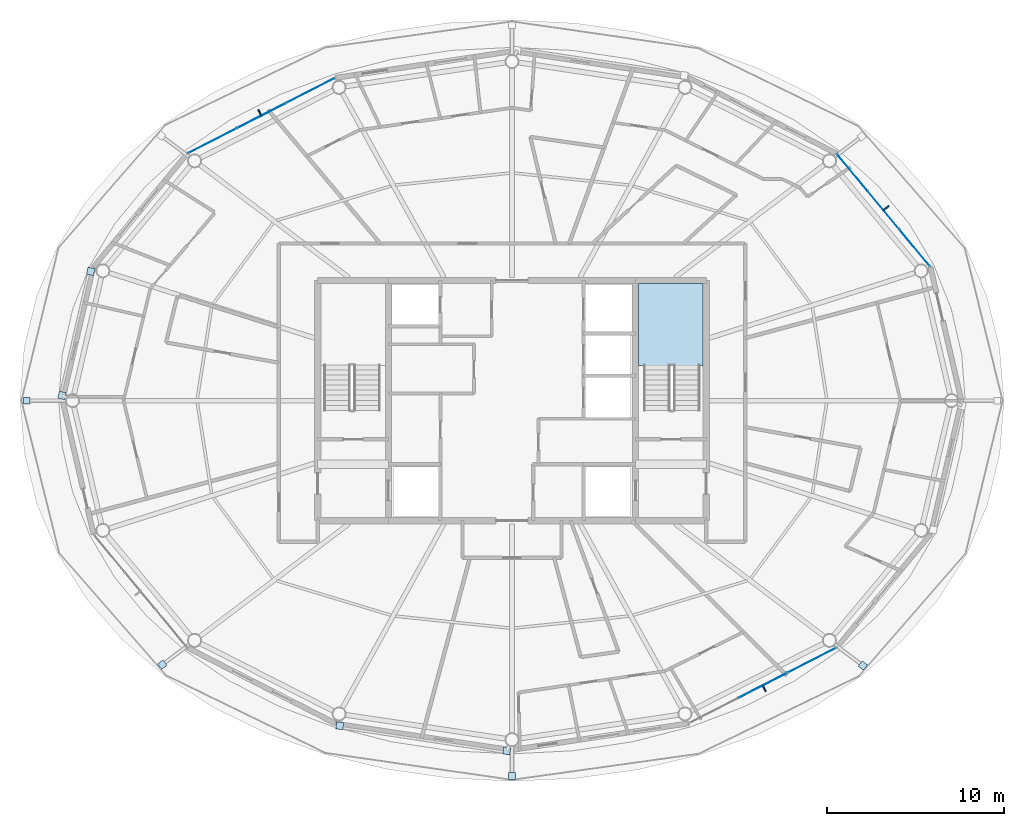
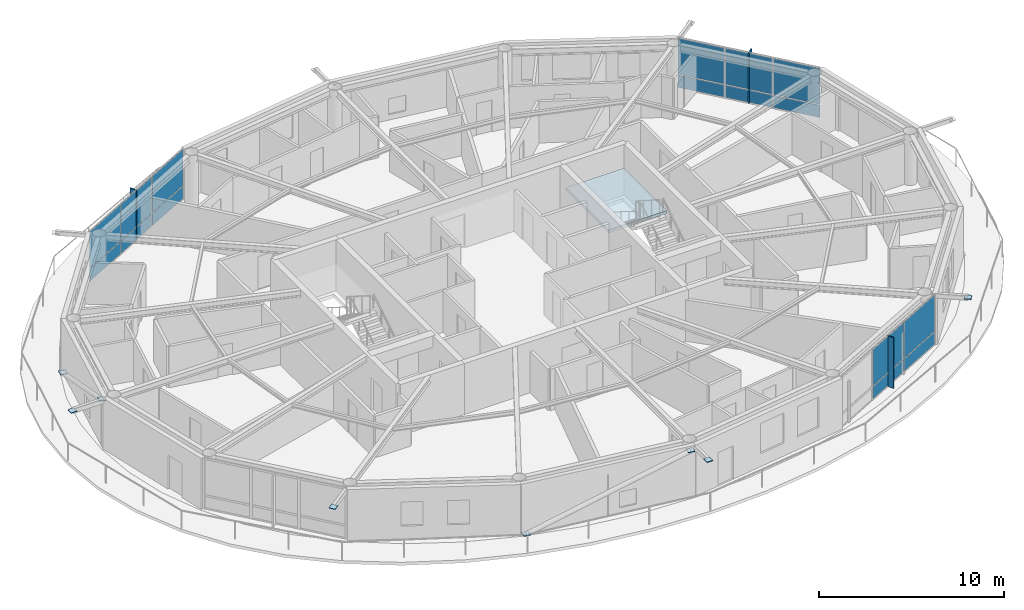
# One storey, part 14 of 23: 27 plates, 1 slab, 4 elements without a shape of their own.
"""IFC4 building model written with IfcOpenShell, lengths in metres."""

import ifcopenshell
import ifcopenshell.guid

model = None  # the IFC model being written
_history = None  # IfcOwnerHistory: only IFC2X3 demands one
_inside = {}  # id of a spatial element -> (the spatial element, [elements in it])
_under = {}  # id of a project, library or spatial element -> (it, [spatial elements below it])
_declared = {}  # id of a project -> (the project, [libraries it declares])
_typed = {}  # id of a type object -> (the type object, [elements of that type])
_made_of = {}  # id of a material, layer set ... -> (it, [elements and type objects made of it])


def new_model(schema):
    """Start an empty IFC model of exactly this schema.

    Asked for "IFC4X3", IfcOpenShell would pick the latest addendum, in which some entities
    have other attributes; the version numbers below select the first issue.
    IFC2X3 requires an IfcOwnerHistory on every rooted entity: one is made here for all.
    """
    global model, _history
    if schema == "IFC4X3":
        model = ifcopenshell.file(schema_version=(4, 3, 0, 0))
    else:
        model = ifcopenshell.file(schema=schema)
    _inside.clear()
    _under.clear()
    _declared.clear()
    _typed.clear()
    _made_of.clear()
    _history = None
    if model.schema == "IFC2X3":
        org = make("IfcOrganization", Name="unknown")
        user = make(
            "IfcPersonAndOrganization",
            ThePerson=make("IfcPerson", FamilyName="unknown"),
            TheOrganization=org,
        )
        app = make(
            "IfcApplication",
            ApplicationDeveloper=org,
            Version="unknown",
            ApplicationFullName="unknown",
            ApplicationIdentifier="unknown",
        )
        _history = make(
            "IfcOwnerHistory",
            OwningUser=user,
            OwningApplication=app,
            ChangeAction="ADDED",
            CreationDate=0,
        )
    return model


def make(cls, **values):
    """One entity of the class cls with the attributes given. An attribute that is None is left unset."""
    return model.create_entity(
        cls, **{name: value for name, value in values.items() if value is not None}
    )


def rooted(cls, **values):
    """An entity with a GlobalId (a new one), such as an element, a storey or a relation."""
    return make(cls, GlobalId=ifcopenshell.guid.new(), OwnerHistory=_history, **values)


def si_unit(unit_type, name, prefix=None):
    """IfcSIUnit, for example si_unit("LENGTHUNIT", "METRE", prefix="MILLI")."""
    return make("IfcSIUnit", UnitType=unit_type, Prefix=prefix, Name=name)


def assignment(units):
    """IfcUnitAssignment: the units of a project."""
    return None if units is None else make("IfcUnitAssignment", Units=units)


def point(xyz):
    """IfcCartesianPoint."""
    return None if xyz is None else make("IfcCartesianPoint", Coordinates=xyz)


def direction(xyz):
    """IfcDirection."""
    return None if xyz is None else make("IfcDirection", DirectionRatios=xyz)


def frame(location, z_axis=None, x_axis=None):
    """IfcAxis2Placement3D, a coordinate frame: its origin and axes. An axis left out is left unset."""
    return make(
        "IfcAxis2Placement3D",
        Location=point(location),
        Axis=direction(z_axis),
        RefDirection=direction(x_axis),
    )


def frame_2d(location, x_axis=None):
    """IfcAxis2Placement2D, a coordinate frame in the plane: its origin and x axis."""
    return make(
        "IfcAxis2Placement2D", Location=point(location), RefDirection=direction(x_axis)
    )


def origin():
    """The frame at (0, 0, 0) with its axes left unset."""
    return frame((0.0, 0.0, 0.0))


def origin_2d():
    """The frame at (0, 0) in the plane with its x axis left unset."""
    return frame_2d((0.0, 0.0))


def place(relative_to, where):
    """IfcLocalPlacement: puts the frame where relative to a parent placement (None: the world)."""
    return make(
        "IfcLocalPlacement", PlacementRelTo=relative_to, RelativePlacement=where
    )


def context(
    kind, dimensions, precision=None, world=None, true_north=None, identifier=None
):
    """IfcGeometricRepresentationContext, for example the 3D "Model" context."""
    return make(
        "IfcGeometricRepresentationContext",
        ContextIdentifier=identifier,
        ContextType=kind,
        CoordinateSpaceDimension=dimensions,
        Precision=precision,
        WorldCoordinateSystem=world,
        TrueNorth=true_north,
    )


def subcontext(parent, identifier, kind, view, scale=None):
    """IfcGeometricRepresentationSubContext, for example "Body" below "Model"."""
    return make(
        "IfcGeometricRepresentationSubContext",
        ContextIdentifier=identifier,
        ContextType=kind,
        ParentContext=parent,
        TargetScale=scale,
        TargetView=view,
    )


def project(units=None, contexts=None):
    """IfcProject with its units and contexts."""
    return rooted(
        "IfcProject",
        Name="project",
        RepresentationContexts=contexts,
        UnitsInContext=assignment(units),
    )


def spatial(cls, under=None, at=None, **own):
    """A site, building, storey or space (cls), placed at a placement, below another one or the project."""
    s = rooted(cls, ObjectPlacement=at, **own)
    if under is not None:
        _under.setdefault(under.id(), (under, []))[1].append(s)
    return s


def polyline(points):
    """IfcPolyline through the points."""
    return make("IfcPolyline", Points=[point(p) for p in points])


def profile(cls, at=None, kind="AREA", **sizes):
    """A parametric profile (cls). Its sizes go by their IFC names, for example OverallWidth=200.0."""
    return make(cls, ProfileType=kind, Position=at, **sizes)


def rectangle(**sizes):
    """IfcRectangleProfileDef."""
    return profile("IfcRectangleProfileDef", **sizes)


def outline(outer, holes=None, kind="AREA"):
    """IfcArbitraryClosedProfileDef: a profile drawn as a closed curve; with holes, ...WithVoids."""
    if holes is None:
        return make("IfcArbitraryClosedProfileDef", ProfileType=kind, OuterCurve=outer)
    return make(
        "IfcArbitraryProfileDefWithVoids",
        ProfileType=kind,
        OuterCurve=outer,
        InnerCurves=holes,
    )


def extrude(swept, where, along, depth):
    """IfcExtrudedAreaSolid: the profile swept, set in the frame where, extruded along a direction by depth."""
    return make(
        "IfcExtrudedAreaSolid",
        SweptArea=swept,
        Position=where,
        ExtrudedDirection=direction(along),
        Depth=depth,
    )


def shape(context_of_items, identifier, shape_type, items):
    """IfcShapeRepresentation: the items that make up one representation, for example the "Body"."""
    return make(
        "IfcShapeRepresentation",
        ContextOfItems=context_of_items,
        RepresentationIdentifier=identifier,
        RepresentationType=shape_type,
        Items=items,
    )


def material(Name=None, Category=None):
    """IfcMaterial."""
    return make("IfcMaterial", Name=Name, Category=Category)


def layer(
    of_material, thickness, ventilated=None, Name=None, Category=None, Priority=None
):
    """IfcMaterialLayer: one layer of a wall or slab, of a material (None: an air gap)."""
    return make(
        "IfcMaterialLayer",
        Material=of_material,
        LayerThickness=thickness,
        IsVentilated=ventilated,
        Name=Name,
        Category=Category,
        Priority=Priority,
    )


def layer_set(layers, Name=None):
    """IfcMaterialLayerSet."""
    return make("IfcMaterialLayerSet", MaterialLayers=layers, LayerSetName=Name)


def made_of(thing, what):
    """Note that an element or type object is made of a material, layer set ...; save() writes the relation."""
    if what is not None:
        _made_of.setdefault(what.id(), (what, []))[1].append(thing)
    return thing


def type_object(cls, material=None, **own):
    """A type object (cls), such as IfcWallType, which elements share."""
    return made_of(rooted(cls, **own), material)


def element(
    cls,
    number,
    at=None,
    inside=None,
    cuts=None,
    type_object=None,
    material=None,
    context=None,
    identifier="Body",
    shape_type=None,
    held_by="IfcProductDefinitionShape",
    body=None,
    shapes=None,
    **own,
):
    """One element of the class cls, such as IfcWall. Its Tag is "e" and its number.

    at: its placement. inside: the storey or other place that contains it. cuts: it is an
    opening in that element (IfcRelVoidsElement). A single representation is given by context,
    identifier, shape_type and body (its items); several are given by shapes. held_by: the class
    of the entity that holds the representations. save() writes the other relations.
    """
    e = rooted(cls, Tag="e%d" % number, ObjectPlacement=at, **own)
    if body is not None:
        shapes = [shape(context, identifier, shape_type, body)]
    if shapes is not None:
        e.Representation = make(held_by, Representations=shapes)
    if inside is not None:
        _inside.setdefault(inside.id(), (inside, []))[1].append(e)
    if cuts is not None:
        rooted(
            "IfcRelVoidsElement", RelatingBuildingElement=cuts, RelatedOpeningElement=e
        )
    if type_object is not None:
        _typed.setdefault(type_object.id(), (type_object, []))[1].append(e)
    return made_of(e, material)


def aggregate(whole, parts):
    """IfcRelAggregates: a whole, such as a stair, and the parts it consists of."""
    return rooted("IfcRelAggregates", RelatingObject=whole, RelatedObjects=parts)


def save(model, path):
    """Write the relations noted so far, then the file.

    IfcRelAggregates (storeys below a building ...), IfcRelContainedInSpatialStructure (elements
    in a storey), IfcRelDefinesByType, IfcRelAssociatesMaterial and IfcRelDeclares: one each for
    every whole, place, type object, material and project.
    """
    for whole, parts in _under.values():
        aggregate(whole, parts)
    for where, things in _inside.values():
        rooted(
            "IfcRelContainedInSpatialStructure",
            RelatedElements=things,
            RelatingStructure=where,
        )
    for kind, things in _typed.values():
        rooted("IfcRelDefinesByType", RelatedObjects=things, RelatingType=kind)
    for what, things in _made_of.values():
        rooted("IfcRelAssociatesMaterial", RelatedObjects=things, RelatingMaterial=what)
    for by, libraries in _declared.values():
        rooted("IfcRelDeclares", RelatingContext=by, RelatedDefinitions=libraries)
    model.write(path)


model = new_model("IFC4")

# Units and contexts
model_context = context("Model", 3, precision=1e-05, world=origin(), true_north=direction((0.0, 1.0)))
body_context = subcontext(model_context, "Body", "Model", "MODEL_VIEW")
ifc_project = project(units=[si_unit("LENGTHUNIT", "METRE"), si_unit("AREAUNIT", "SQUARE_METRE"), si_unit("VOLUMEUNIT", "CUBIC_METRE"), si_unit("PLANEANGLEUNIT", "RADIAN"), si_unit("MASSUNIT", "GRAM", prefix="KILO")], contexts=[model_context])

# Site, building, storey
site_placement = place(None, origin())
site = spatial("IfcSite", under=ifc_project, at=site_placement, CompositionType="ELEMENT")
building_placement = place(site_placement, origin())
building = spatial("IfcBuilding", under=site, at=building_placement, Name="Sarneth Arch Tower", CompositionType="ELEMENT")
storey_placement = place(building_placement, frame((0.0, 0.0, 265.800048828125)))
storey = spatial("IfcBuildingStorey", under=building, at=storey_placement, Name="L68", CompositionType="ELEMENT", Elevation=265.800048828125)

# Curtain wall, plates
ifc_material_1 = material(Name="Anodised aluminium Type AA25 and solar-control low-e laminated IGU", Category="aluminium")
ifc_layer_1 = layer(ifc_material_1, 0.179931640625)
ifc_layer_set_1 = layer_set([ifc_layer_1], Name="Anodised aluminium Type AA25 and solar-control low-e laminated IGU")
curtain_wall_type = type_object("IfcCurtainWallType", Name="CW-RES-HIGH", PredefinedType="NOTDEFINED", material=ifc_layer_set_1)
curtain_wall_1_placement = place(storey_placement, origin())
curtain_wall_1 = element("IfcCurtainWall", 1, at=curtain_wall_1_placement, inside=storey, type_object=curtain_wall_type, Name="L68 Unitised curtain wall facet 02", PredefinedType="NOTDEFINED")
ifc_material_2 = material(Name="Solar-control low-e laminated IGU", Category="glass")
ifc_layer_2 = layer(ifc_material_2, 0.028076171875)
ifc_layer_set_2 = layer_set([ifc_layer_2], Name="Solar-control low-e laminated IGU")
plate_type_1 = type_object("IfcPlateType", Name="CW-PANEL", PredefinedType="CURTAIN_PANEL", material=ifc_layer_set_2)
plate_1_placement = place(storey_placement, frame((70.799072265625, 50.650634765625, 0.059814453125), z_axis=(0.0, 0.0, 1.0), x_axis=(-0.637610094184, 0.770359245933, 0.0)))
plate_1 = element("IfcPlate", 2, at=plate_1_placement, type_object=plate_type_1, Name="Curtain wall glazed vision pane CW-L68-F02/P00-00", PredefinedType="CURTAIN_PANEL", context=body_context, shape_type="SweptSolid", body=[
    extrude(rectangle(XDim=2.686767578125, YDim=0.028076171875, at=origin_2d()), origin(), (0.0, 0.0, 1.0), 0.81005859375),
])
plate_2_placement = place(storey_placement, frame((70.799072265625, 50.650634765625, 0.929931640625), z_axis=(0.0, 0.0, 1.0), x_axis=(-0.637610094184, 0.770359245933, 0.0)))
plate_2 = element("IfcPlate", 3, at=plate_2_placement, type_object=plate_type_1, Name="Curtain wall glazed vision pane CW-L68-F02/P00-01", PredefinedType="CURTAIN_PANEL", context=body_context, shape_type="SweptSolid", body=[
    extrude(rectangle(XDim=2.686767578125, YDim=0.028076171875, at=origin_2d()), origin(), (0.0, 0.0, 1.0), 2.3798828125),
])
plate_3_placement = place(storey_placement, frame((69.0380859375, 52.778076171875, 0.059814453125), z_axis=(0.0, 0.0, 1.0), x_axis=(-0.637610094184, 0.770359245933, 0.0)))
plate_3 = element("IfcPlate", 4, at=plate_3_placement, type_object=plate_type_1, Name="Curtain wall glazed vision pane CW-L68-F02/P01-00", PredefinedType="CURTAIN_PANEL", context=body_context, shape_type="SweptSolid", body=[
    extrude(rectangle(XDim=2.716552734375, YDim=0.028076171875, at=origin_2d()), origin(), (0.0, 0.0, 1.0), 0.81005859375),
])
plate_4_placement = place(storey_placement, frame((69.0380859375, 52.778076171875, 0.929931640625), z_axis=(0.0, 0.0, 1.0), x_axis=(-0.637610094184, 0.770359245933, 0.0)))
plate_4 = element("IfcPlate", 5, at=plate_4_placement, type_object=plate_type_1, Name="Curtain wall glazed vision pane CW-L68-F02/P01-01", PredefinedType="CURTAIN_PANEL", context=body_context, shape_type="SweptSolid", body=[
    extrude(rectangle(XDim=2.716552734375, YDim=0.028076171875, at=origin_2d()), origin(), (0.0, 0.0, 1.0), 2.3798828125),
])
plate_5_placement = place(storey_placement, frame((67.27734375, 54.905517578125, 0.059814453125), z_axis=(0.0, 0.0, 1.0), x_axis=(-0.637610094184, 0.770359245933, 0.0)))
plate_5 = element("IfcPlate", 6, at=plate_5_placement, type_object=plate_type_1, Name="Curtain wall glazed vision pane CW-L68-F02/P02-00", PredefinedType="CURTAIN_PANEL", context=body_context, shape_type="SweptSolid", body=[
    extrude(rectangle(XDim=2.686767578125, YDim=0.028076171875, at=origin_2d()), origin(), (0.0, 0.0, 1.0), 0.81005859375),
])
plate_6_placement = place(storey_placement, frame((67.27734375, 54.905517578125, 0.929931640625), z_axis=(0.0, 0.0, 1.0), x_axis=(-0.637610094184, 0.770359245933, 0.0)))
plate_6 = element("IfcPlate", 7, at=plate_6_placement, type_object=plate_type_1, Name="Curtain wall glazed vision pane CW-L68-F02/P02-01", PredefinedType="CURTAIN_PANEL", context=body_context, shape_type="SweptSolid", body=[
    extrude(rectangle(XDim=2.686767578125, YDim=0.028076171875, at=origin_2d()), origin(), (0.0, 0.0, 1.0), 2.3798828125),
])
aggregate(curtain_wall_1, [plate_1, plate_2, plate_3, plate_4, plate_5, plate_6])

curtain_wall_2_placement = place(storey_placement, origin())
curtain_wall_2 = element("IfcCurtainWall", 8, at=curtain_wall_2_placement, inside=storey, type_object=curtain_wall_type, Name="L68 Unitised curtain wall facet 06", PredefinedType="NOTDEFINED")
plate_7_placement = place(storey_placement, frame((36.5791015625, 59.552978515625, 0.059814453125), z_axis=(0.0, 0.0, 1.0), x_axis=(-0.890009540525, -0.455941901753, 0.0)))
plate_7 = element("IfcPlate", 9, at=plate_7_placement, type_object=plate_type_1, Name="Curtain wall glazed vision pane CW-L68-F06/P00-00", PredefinedType="CURTAIN_PANEL", context=body_context, shape_type="SweptSolid", body=[
    extrude(rectangle(XDim=3.044677734375, YDim=0.028076171875, at=origin_2d()), origin(), (0.0, 0.0, 1.0), 0.81005859375),
])
plate_8_placement = place(storey_placement, frame((36.5791015625, 59.552978515625, 0.929931640625), z_axis=(0.0, 0.0, 1.0), x_axis=(-0.890009540525, -0.455941901753, 0.0)))
plate_8 = element("IfcPlate", 10, at=plate_8_placement, type_object=plate_type_1, Name="Curtain wall glazed vision pane CW-L68-F06/P00-01", PredefinedType="CURTAIN_PANEL", context=body_context, shape_type="SweptSolid", body=[
    extrude(rectangle(XDim=3.044677734375, YDim=0.028076171875, at=origin_2d()), origin(), (0.0, 0.0, 1.0), 2.3798828125),
])
plate_9_placement = place(storey_placement, frame((33.802490234375, 58.13037109375, 0.059814453125), z_axis=(0.0, 0.0, 1.0), x_axis=(-0.890009540525, -0.455941901753, 0.0)))
plate_9 = element("IfcPlate", 11, at=plate_9_placement, type_object=plate_type_1, Name="Curtain wall glazed vision pane CW-L68-F06/P01-00", PredefinedType="CURTAIN_PANEL", context=body_context, shape_type="SweptSolid", body=[
    extrude(rectangle(XDim=3.07470703125, YDim=0.028076171875, at=origin_2d()), origin(), (0.0, 0.0, 1.0), 0.81005859375),
])
plate_10_placement = place(storey_placement, frame((33.802490234375, 58.13037109375, 0.929931640625), z_axis=(0.0, 0.0, 1.0), x_axis=(-0.890009540525, -0.455941901753, 0.0)))
plate_10 = element("IfcPlate", 12, at=plate_10_placement, type_object=plate_type_1, Name="Curtain wall glazed vision pane CW-L68-F06/P01-01", PredefinedType="CURTAIN_PANEL", context=body_context, shape_type="SweptSolid", body=[
    extrude(rectangle(XDim=3.07470703125, YDim=0.028076171875, at=origin_2d()), origin(), (0.0, 0.0, 1.0), 2.3798828125),
])
plate_11_placement = place(storey_placement, frame((31.02587890625, 56.7080078125, 0.059814453125), z_axis=(0.0, 0.0, 1.0), x_axis=(-0.890009540525, -0.455941901753, 0.0)))
plate_11 = element("IfcPlate", 13, at=plate_11_placement, type_object=plate_type_1, Name="Curtain wall glazed vision pane CW-L68-F06/P02-00", PredefinedType="CURTAIN_PANEL", context=body_context, shape_type="SweptSolid", body=[
    extrude(rectangle(XDim=3.044677734375, YDim=0.028076171875, at=origin_2d()), origin(), (0.0, 0.0, 1.0), 0.81005859375),
])
plate_12_placement = place(storey_placement, frame((31.02587890625, 56.7080078125, 0.929931640625), z_axis=(0.0, 0.0, 1.0), x_axis=(-0.890009540525, -0.455941901753, 0.0)))
plate_12 = element("IfcPlate", 14, at=plate_12_placement, type_object=plate_type_1, Name="Curtain wall glazed vision pane CW-L68-F06/P02-01", PredefinedType="CURTAIN_PANEL", context=body_context, shape_type="SweptSolid", body=[
    extrude(rectangle(XDim=3.044677734375, YDim=0.028076171875, at=origin_2d()), origin(), (0.0, 0.0, 1.0), 2.3798828125),
])
aggregate(curtain_wall_2, [plate_7, plate_8, plate_9, plate_10, plate_11, plate_12])

curtain_wall_3_placement = place(storey_placement, origin())
curtain_wall_3 = element("IfcCurtainWall", 15, at=curtain_wall_3_placement, inside=storey, type_object=curtain_wall_type, Name="L68 Unitised curtain wall facet 14", PredefinedType="NOTDEFINED")
plate_13_placement = place(storey_placement, frame((62.197509765625, 25.86962890625, 0.059814453125), z_axis=(0.0, 0.0, 1.0), x_axis=(0.890009540525, 0.455941901753, 0.0)))
plate_13 = element("IfcPlate", 16, at=plate_13_placement, type_object=plate_type_1, Name="Curtain wall glazed vision pane CW-L68-F14/P01-00", PredefinedType="CURTAIN_PANEL", context=body_context, shape_type="SweptSolid", body=[
    extrude(rectangle(XDim=3.07470703125, YDim=0.028076171875, at=origin_2d()), origin(), (0.0, 0.0, 1.0), 0.81005859375),
])
plate_14_placement = place(storey_placement, frame((62.197509765625, 25.86962890625, 0.929931640625), z_axis=(0.0, 0.0, 1.0), x_axis=(0.890009540525, 0.455941901753, 0.0)))
plate_14 = element("IfcPlate", 17, at=plate_14_placement, type_object=plate_type_1, Name="Curtain wall glazed vision pane CW-L68-F14/P01-01", PredefinedType="CURTAIN_PANEL", context=body_context, shape_type="SweptSolid", body=[
    extrude(rectangle(XDim=3.07470703125, YDim=0.028076171875, at=origin_2d()), origin(), (0.0, 0.0, 1.0), 2.3798828125),
])
plate_15_placement = place(storey_placement, frame((64.97412109375, 27.2919921875, 0.059814453125), z_axis=(0.0, 0.0, 1.0), x_axis=(0.890009540525, 0.455941901753, 0.0)))
plate_15 = element("IfcPlate", 18, at=plate_15_placement, type_object=plate_type_1, Name="Curtain wall glazed vision pane CW-L68-F14/P02-00", PredefinedType="CURTAIN_PANEL", context=body_context, shape_type="SweptSolid", body=[
    extrude(rectangle(XDim=3.044677734375, YDim=0.028076171875, at=origin_2d()), origin(), (0.0, 0.0, 1.0), 0.81005859375),
])
plate_16_placement = place(storey_placement, frame((64.97412109375, 27.2919921875, 0.929931640625), z_axis=(0.0, 0.0, 1.0), x_axis=(0.890009540525, 0.455941901753, 0.0)))
plate_16 = element("IfcPlate", 19, at=plate_16_placement, type_object=plate_type_1, Name="Curtain wall glazed vision pane CW-L68-F14/P02-01", PredefinedType="CURTAIN_PANEL", context=body_context, shape_type="SweptSolid", body=[
    extrude(rectangle(XDim=3.044677734375, YDim=0.028076171875, at=origin_2d()), origin(), (0.0, 0.0, 1.0), 2.3798828125),
])
aggregate(curtain_wall_3, [plate_13, plate_14, plate_15, plate_16])

# Plates
ifc_material_3 = material(Name="Steel S355", Category="steel")
ifc_layer_3 = layer(ifc_material_3, 0.035888671875)
ifc_layer_set_3 = layer_set([ifc_layer_3], Name="Steel S355")
plate_type_2 = type_object("IfcPlateType", Name="PLT-GUSSET-30", PredefinedType="SHEET", material=ifc_layer_set_3)
for number, where, z_axis, x_axis, name in (
    (20, (24.148193359375, 49.3154296875, 0.001953125), (0.0, 0.0, 1.0), (-0.225461202458, -0.974252147129, 0.0), "Steel end cap plate GP-1"),
    (21, (22.5234375, 42.292236328125, 3.07421875), (0.0, 0.0, 1.0), (-0.225461202458, -0.974252147129, 0.0), "Steel end cap plate GP-1"),
):
    element("IfcPlate", number, at=place(storey_placement, frame(where, z_axis=z_axis, x_axis=x_axis)), inside=storey, type_object=plate_type_2, Name=name, PredefinedType="SHEET", context=body_context, shape_type="SweptSolid", body=[
        extrude(rectangle(XDim=0.404052734375, YDim=0.404052734375, at=origin_2d()), origin(), (0.0, 0.0, 1.0), 0.035888671875),
    ])
for number, where, z_axis, x_axis, name in (
    (22, (20.51953125, 42.0, 3.19189453125), (0.0, 0.0, 1.0), (-1.0, 0.0, 0.0), "Steel end cap plate GP-1"),
    (23, (28.199951171875, 27.04541015625, 3.19189453125), (0.0, 0.0, 1.0), (-0.798004853043, -0.602651022168, 0.0), "Steel end cap plate GP-1"),
):
    element("IfcPlate", number, at=place(storey_placement, frame(where, z_axis=z_axis, x_axis=x_axis)), inside=storey, type_object=plate_type_2, Name=name, PredefinedType="SHEET", context=body_context, shape_type="SweptSolid", body=[
        extrude(rectangle(XDim=0.3798828125, YDim=0.3798828125, at=origin_2d()), origin(), (0.0, 0.0, 1.0), 0.035888671875),
    ])
for number, where, z_axis, x_axis, name in (
    (24, (38.245849609375, 23.588623046875, 0.001953125), (0.0, 0.0, 1.0), (0.988860535448, -0.148845024885, 0.0), "Steel end cap plate GP-1"),
    (25, (47.703369140625, 22.16455078125, 3.07421875), (0.0, 0.0, 1.0), (0.988860535448, -0.148845024885, 0.0), "Steel end cap plate GP-1"),
):
    element("IfcPlate", number, at=place(storey_placement, frame(where, z_axis=z_axis, x_axis=x_axis)), inside=storey, type_object=plate_type_2, Name=name, PredefinedType="SHEET", context=body_context, shape_type="SweptSolid", body=[
        extrude(rectangle(XDim=0.404052734375, YDim=0.404052734375, at=origin_2d()), origin(), (0.0, 0.0, 1.0), 0.035888671875),
    ])
for number, where, z_axis, x_axis, name in (
    (26, (48.0, 20.747314453125, 3.19189453125), (0.0, 0.0, 1.0), (0.0, -1.0, 0.0), "Steel end cap plate GP-1"),
    (27, (67.861083984375, 26.999267578125, 3.19189453125), (0.0, 0.0, 1.0), (0.798004853043, -0.602651022168, 0.0), "Steel end cap plate GP-1"),
):
    element("IfcPlate", number, at=place(storey_placement, frame(where, z_axis=z_axis, x_axis=x_axis)), inside=storey, type_object=plate_type_2, Name=name, PredefinedType="SHEET", context=body_context, shape_type="SweptSolid", body=[
        extrude(rectangle(XDim=0.3798828125, YDim=0.3798828125, at=origin_2d()), origin(), (0.0, 0.0, 1.0), 0.035888671875),
    ])
ifc_material_4 = material(Name="Extruded glazed terracotta baguette fin on Aluminium 6063-T6 carrier", Category="masonry")
ifc_layer_4 = layer(ifc_material_4, 0.080078125)
ifc_layer_set_4 = layer_set([ifc_layer_4], Name="Extruded glazed terracotta baguette fin on Aluminium 6063-T6 carrier")
plate_type_3 = type_object("IfcPlateType", Name="SHADE-TERRA-FIN", PredefinedType="SHEET", material=ifc_layer_set_4)
for number, where, z_axis, x_axis, name in (
    (28, (69.169189453125, 52.886474609375, 0.010009765625), (0.0, 0.0, 1.0), (0.770401979567, 0.63755845997, 0.0), "L68 Terracotta vertical shading fin 02"),
    (29, (33.724853515625, 58.28173828125, 0.010009765625), (0.0, 0.0, 1.0), (-0.456010959102, 0.889974159838, 0.0), "L68 Terracotta vertical shading fin 06"),
    (30, (62.275146484375, 25.71826171875, 0.010009765625), (0.0, 0.0, 1.0), (0.456010959102, -0.889974159838, 0.0), "L68 Terracotta vertical shading fin 14"),
):
    element("IfcPlate", number, at=place(storey_placement, frame(where, z_axis=z_axis, x_axis=x_axis)), inside=storey, type_object=plate_type_3, Name=name, PredefinedType="SHEET", context=body_context, shape_type="SweptSolid", body=[
        extrude(rectangle(XDim=0.419921875, YDim=0.080078125, at=origin_2d()), origin(), (0.0, 0.0, 1.0), 3.35009765625),
    ])

# Stair, slab
ifc_material_5 = material(Name="Concrete C50/60", Category="concrete")
stair_type = type_object("IfcStairType", Name="STAIR-CORE-RC", PredefinedType="HALF_TURN_STAIR", material=ifc_material_5)
stair_placement = place(storey_placement, origin())
stair = element("IfcStair", 31, at=stair_placement, inside=storey, type_object=stair_type, Name="L68 Core Exit Stair 2", PredefinedType="HALF_TURN_STAIR")
ifc_material_6 = material(Name="Concrete C50/60", Category="concrete")
ifc_layer_5 = layer(ifc_material_6, 0.199951171875)
ifc_layer_set_5 = layer_set([ifc_layer_5], Name="Concrete C50/60")
slab_type = type_object("IfcSlabType", Name="SLAB-LANDING-200", PredefinedType="LANDING", material=ifc_layer_set_5)
slab_placement = place(storey_placement, frame((0.0, 0.0, 1.599853515625)))
slab = element("IfcSlab", 32, at=slab_placement, type_object=slab_type, Name="ST-2 landing 1", PredefinedType="LANDING", context=body_context, shape_type="SweptSolid", body=[
    extrude(outline(polyline([(55.175048828125, 43.985107421875), (58.824951171875, 43.985107421875), (58.824951171875, 48.625), (55.175048828125, 48.625), (55.175048828125, 43.985107421875)])), origin(), (0.0, 0.0, 1.0), 0.2001953125),
])
aggregate(stair, [slab])

save(model, "model.ifc")
